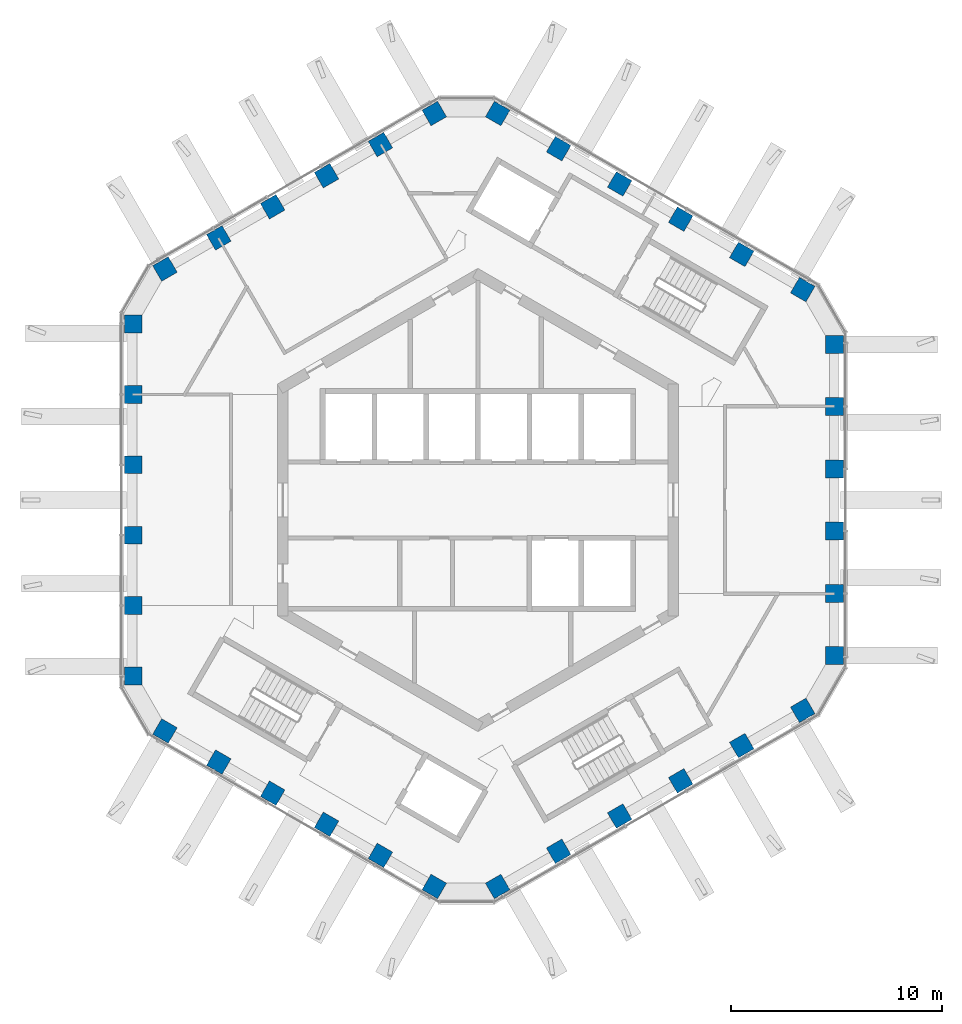
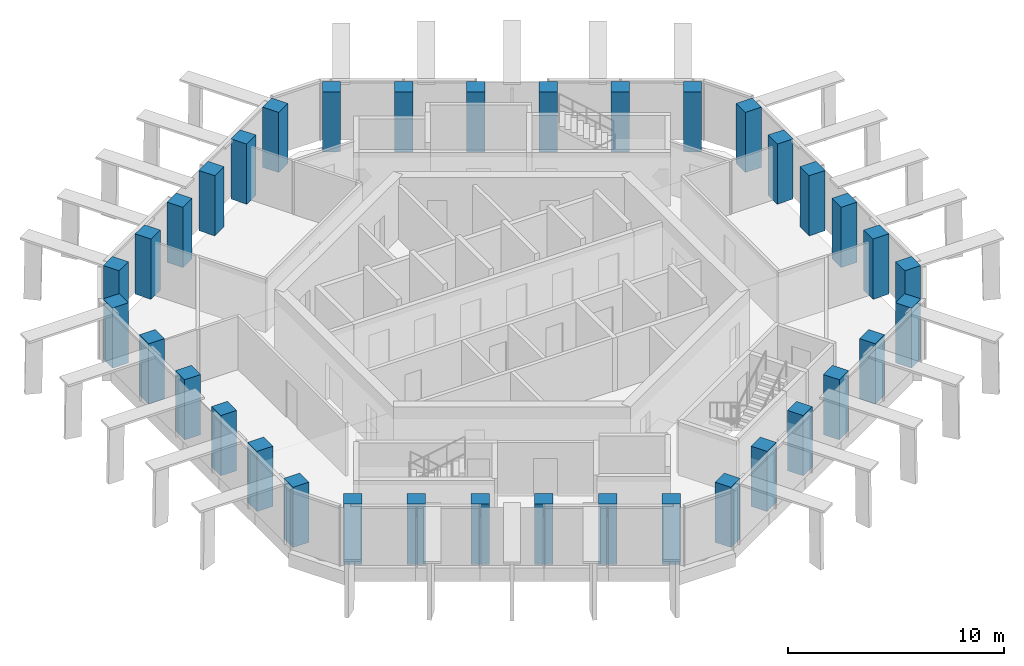
# One storey, part 1 of 17: 36 columns.
"""IFC4 building model written with IfcOpenShell, lengths in metres."""

from ifc_helpers import new_model, si_unit, direction, frame, origin, origin_2d, place, context, subcontext, project, spatial, rectangle, extrude, material, material_profile, profile_set, type_object, element, save


model = new_model("IFC4")

# Units and contexts
model_context = context("Model", 3, precision=1e-05, world=origin(), true_north=direction((0.0, 1.0)))
body_context = subcontext(model_context, "Body", "Model", "MODEL_VIEW")
ifc_project = project(units=[si_unit("LENGTHUNIT", "METRE"), si_unit("AREAUNIT", "SQUARE_METRE"), si_unit("VOLUMEUNIT", "CUBIC_METRE"), si_unit("PLANEANGLEUNIT", "RADIAN"), si_unit("MASSUNIT", "GRAM", prefix="KILO")], contexts=[model_context])

# Site, building, storey
site_placement = place(None, origin())
site = spatial("IfcSite", under=ifc_project, at=site_placement, CompositionType="ELEMENT")
building_placement = place(site_placement, origin())
building = spatial("IfcBuilding", under=site, at=building_placement, Name="Ayvan Gate Tower", CompositionType="ELEMENT")
storey_placement = place(building_placement, frame((0.0, 0.0, 249.5)))
storey = spatial("IfcBuildingStorey", under=building, at=storey_placement, Name="L67", CompositionType="ELEMENT", Elevation=249.5)

# Columns
ifc_material = material(Name="Concrete C50/60", Category="concrete")
ifc_material_profile = material_profile(ifc_material, rectangle(XDim=0.85009765625, YDim=0.85009765625, at=origin_2d()), Name="RC 850x850")
ifc_profile_set = profile_set([ifc_material_profile], Name="Concrete C50/60")
column_type = type_object("IfcColumnType", Name="Tube column RC 850x850 C50/60", PredefinedType="COLUMN", material=ifc_profile_set)
for number, where, z_axis, x_axis, name in (
    (1, (16.887451171875, -7.366943359375, 0.0), (0.0, 0.0, 1.0), (1.0, 0.0, 0.0), "C-T0-0-L67"),
    (2, (16.887451171875, -4.420166015625, 0.0), (0.0, 0.0, 1.0), (1.0, 0.0, 0.0), "C-T0-1-L67"),
    (3, (16.887451171875, -1.473388671875, 0.0), (0.0, 0.0, 1.0), (1.0, 0.0, 0.0), "C-T0-2-L67"),
    (4, (16.887451171875, 1.473388671875, 0.0), (0.0, 0.0, 1.0), (1.0, 0.0, 0.0), "C-T0-3-L67"),
    (5, (16.887451171875, 4.420166015625, 0.0), (0.0, 0.0, 1.0), (1.0, 0.0, 0.0), "C-T0-4-L67"),
    (6, (16.887451171875, 7.366943359375, 0.0), (0.0, 0.0, 1.0), (1.0, 0.0, 0.0), "C-T0-5-L67"),
    (7, (15.387451171875, 9.965087890625, 0.0), (0.0, 0.0, 1.0), (0.5, 0.866025403784, 0.0), "C-T1-0-L67"),
    (8, (12.497314453125, 11.6337890625, 0.0), (0.0, 0.0, 1.0), (0.5, 0.866025403784, 0.0), "C-T1-1-L67"),
    (9, (9.60693359375, 13.302490234375, 0.0), (0.0, 0.0, 1.0), (0.5, 0.866025403784, 0.0), "C-T1-2-L67"),
    (10, (6.716796875, 14.97119140625, 0.0), (0.0, 0.0, 1.0), (0.5, 0.866025403784, 0.0), "C-T1-3-L67"),
    (11, (3.826416015625, 16.639892578125, 0.0), (0.0, 0.0, 1.0), (0.5, 0.866025403784, 0.0), "C-T1-4-L67"),
    (12, (0.936279296875, 18.308349609375, 0.0), (0.0, 0.0, 1.0), (0.5, 0.866025403784, 0.0), "C-T1-5-L67"),
    (13, (-2.063720703125, 18.308349609375, 0.0), (0.0, 0.0, 1.0), (-0.5, 0.866025403784, 0.0), "C-T2-0-L67"),
    (14, (-4.61572265625, 16.8349609375, 0.0), (0.0, 0.0, 1.0), (-0.5, 0.866025403784, 0.0), "C-T2-1-L67"),
    (15, (-7.167724609375, 15.361572265625, 0.0), (0.0, 0.0, 1.0), (-0.5, 0.866025403784, 0.0), "C-T2-2-L67"),
    (16, (-9.7197265625, 13.888427734375, 0.0), (0.0, 0.0, 1.0), (-0.5, 0.866025403784, 0.0), "C-T2-3-L67"),
    (17, (-12.271728515625, 12.4150390625, 0.0), (0.0, 0.0, 1.0), (-0.5, 0.866025403784, 0.0), "C-T2-4-L67"),
    (18, (-14.82373046875, 10.941650390625, 0.0), (0.0, 0.0, 1.0), (-0.5, 0.866025403784, 0.0), "C-T2-5-L67"),
    (19, (-16.32373046875, 8.343505859375, 0.0), (0.0, 0.0, 1.0), (-1.0, 0.0, 0.0), "C-T3-0-L67"),
    (20, (-16.32373046875, 5.006103515625, 0.0), (0.0, 0.0, 1.0), (-1.0, 0.0, 0.0), "C-T3-1-L67"),
    (21, (-16.32373046875, 1.668701171875, 0.0), (0.0, 0.0, 1.0), (-1.0, 0.0, 0.0), "C-T3-2-L67"),
    (22, (-16.32373046875, -1.668701171875, 0.0), (0.0, 0.0, 1.0), (-1.0, 0.0, 0.0), "C-T3-3-L67"),
    (23, (-16.32373046875, -5.006103515625, 0.0), (0.0, 0.0, 1.0), (-1.0, 0.0, 0.0), "C-T3-4-L67"),
    (24, (-16.32373046875, -8.343505859375, 0.0), (0.0, 0.0, 1.0), (-1.0, 0.0, 0.0), "C-T3-5-L67"),
    (25, (-14.82373046875, -10.941650390625, 0.0), (0.0, 0.0, 1.0), (-0.5, -0.866025403784, 0.0), "C-T4-0-L67"),
    (26, (-12.271728515625, -12.4150390625, 0.0), (0.0, 0.0, 1.0), (-0.5, -0.866025403784, 0.0), "C-T4-1-L67"),
    (27, (-9.7197265625, -13.888427734375, 0.0), (0.0, 0.0, 1.0), (-0.5, -0.866025403784, 0.0), "C-T4-2-L67"),
    (28, (-7.167724609375, -15.361572265625, 0.0), (0.0, 0.0, 1.0), (-0.5, -0.866025403784, 0.0), "C-T4-3-L67"),
    (29, (-4.61572265625, -16.8349609375, 0.0), (0.0, 0.0, 1.0), (-0.5, -0.866025403784, 0.0), "C-T4-4-L67"),
    (30, (-2.063720703125, -18.308349609375, 0.0), (0.0, 0.0, 1.0), (-0.5, -0.866025403784, 0.0), "C-T4-5-L67"),
    (31, (0.936279296875, -18.308349609375, 0.0), (0.0, 0.0, 1.0), (0.5, -0.866025403784, 0.0), "C-T5-0-L67"),
    (32, (3.826416015625, -16.639892578125, 0.0), (0.0, 0.0, 1.0), (0.5, -0.866025403784, 0.0), "C-T5-1-L67"),
    (33, (6.716796875, -14.97119140625, 0.0), (0.0, 0.0, 1.0), (0.5, -0.866025403784, 0.0), "C-T5-2-L67"),
    (34, (9.60693359375, -13.302490234375, 0.0), (0.0, 0.0, 1.0), (0.5, -0.866025403784, 0.0), "C-T5-3-L67"),
    (35, (12.497314453125, -11.6337890625, 0.0), (0.0, 0.0, 1.0), (0.5, -0.866025403784, 0.0), "C-T5-4-L67"),
    (36, (15.387451171875, -9.965087890625, 0.0), (0.0, 0.0, 1.0), (0.5, -0.866025403784, 0.0), "C-T5-5-L67"),
):
    element("IfcColumn", number, at=place(storey_placement, frame(where, z_axis=z_axis, x_axis=x_axis)), inside=storey, type_object=column_type, Name=name, PredefinedType="COLUMN", context=body_context, shape_type="SweptSolid", body=[
        extrude(rectangle(XDim=0.85009765625, YDim=0.85009765625, at=origin_2d()), origin(), (0.0, 0.0, 1.0), 3.39990234375),
    ])

save(model, "model.ifc")
